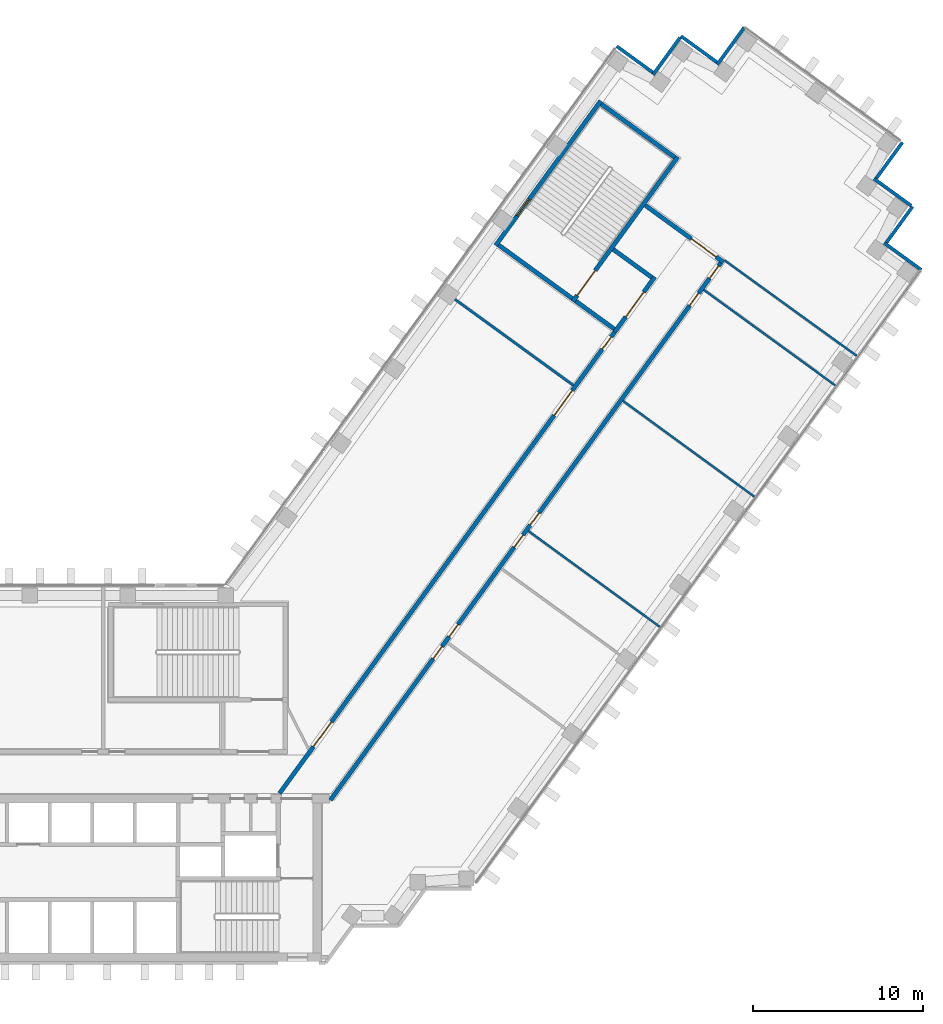
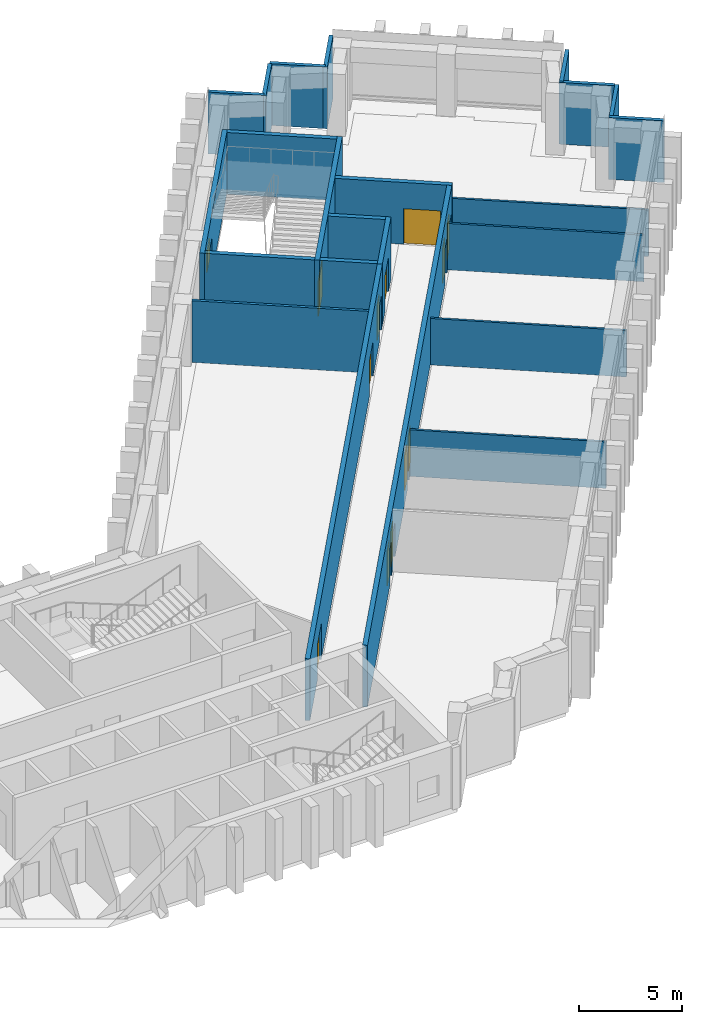
# One storey, part 9 of 13: 23 walls, 12 doors, 1 window, 13 openings.
"""IFC4 building model written with IfcOpenShell, lengths in metres."""

from ifc_helpers import new_model, si_unit, direction, frame, frame_2d, origin, place, context, subcontext, project, spatial, rectangle, extrude, material, layer, layer_set, type_object, element, fill, save


model = new_model("IFC4")

# Units and contexts
model_context = context("Model", 3, precision=1e-05, world=origin(), true_north=direction((0.0, 1.0)))
body_context = subcontext(model_context, "Body", "Model", "MODEL_VIEW")
ifc_project = project(units=[si_unit("LENGTHUNIT", "METRE"), si_unit("AREAUNIT", "SQUARE_METRE"), si_unit("VOLUMEUNIT", "CUBIC_METRE"), si_unit("PLANEANGLEUNIT", "RADIAN"), si_unit("MASSUNIT", "GRAM", prefix="KILO")], contexts=[model_context])

# Site, building, storey
site_placement = place(None, origin())
site = spatial("IfcSite", under=ifc_project, at=site_placement, CompositionType="ELEMENT")
building_placement = place(site_placement, origin())
building = spatial("IfcBuilding", under=site, at=building_placement, Name="Quipu Civic Tower", CompositionType="ELEMENT")
storey_placement = place(building_placement, frame((0.0, 0.0, 67.0)))
storey = spatial("IfcBuildingStorey", under=building, at=storey_placement, Name="L15", CompositionType="ELEMENT", Elevation=67.0)

# Wall
ifc_material_1 = material(Name="Double gypsum plasterboard with mineral wool")
ifc_layer_1 = layer(ifc_material_1, 0.14990234375)
ifc_layer_set_1 = layer_set([ifc_layer_1], Name="Double gypsum plasterboard with mineral wool")
wall_type_1 = type_object("IfcWallType", Name="Acoustic partition 150 plasterboard", PredefinedType="PARTITIONING", material=ifc_layer_set_1)
wall_1_placement = place(storey_placement, frame((34.80615234375, 22.8447265625, 0.0), z_axis=(0.0, 0.0, 1.0), x_axis=(-0.809030728677, 0.587766348183, 0.0)))
element("IfcWall", 1, at=wall_1_placement, inside=storey, type_object=wall_type_1, Name="Partition P10", PredefinedType="PARTITIONING", context=body_context, shape_type="SweptSolid", body=[
    extrude(rectangle(XDim=8.596435546875, YDim=0.14990234375, at=frame_2d((4.29833984375, 0.0))), origin(), (0.0, 0.0, 1.0), 3.64990234375),
])

# Wall, opening, door
ifc_material_2 = material(Name="Concrete C70/85", Category="concrete")
ifc_layer_2 = layer(ifc_material_2, 0.25)
ifc_layer_set_2 = layer_set([ifc_layer_2], Name="Concrete C70/85")
wall_type_2 = type_object("IfcWallType", Name="Core wall 250", PredefinedType="SHEAR", material=ifc_layer_set_2)
wall_2_placement = place(storey_placement, frame((37.237548828125, 25.979736328125, 0.0), z_axis=(0.0, 0.0, 1.0), x_axis=(0.587772420479, 0.809026317077, 0.0)))
wall_2 = element("IfcWall", 2, at=wall_2_placement, inside=storey, type_object=wall_type_2, Name="Core wall", PredefinedType="SHEAR", context=body_context, shape_type="SweptSolid", body=[
    extrude(rectangle(XDim=4.0, YDim=0.25, at=frame_2d((2.0, 0.0))), origin(), (0.0, 0.0, 1.0), 3.64990234375),
])
opening_1_placement = place(wall_2_placement, frame((1.10009765625, 0.0, 0.0)))
opening_1 = element("IfcOpeningElement", 3, at=opening_1_placement, cuts=wall_2, Name="Opening CD-21", PredefinedType="OPENING", context=body_context, shape_type="SweptSolid", body=[
    extrude(rectangle(XDim=1.800048828125, YDim=2.10009765625, at=frame_2d((0.89990234375, 1.050048828125))), frame((0.0, 0.135009765625, 0.0), z_axis=(0.0, -1.0, 0.0), x_axis=(1.0, 0.0, 0.0)), (0.0, 0.0, 1.0), 0.27001953125),
])
ifc_material_3 = material(Name="Fire rated steel door", Category="steel")
door_type_1 = type_object("IfcDoorType", Name="Fire door FD90 double 1800 x 2100", OperationType="NOTDEFINED", PredefinedType="DOOR", material=ifc_material_3)
door_1_placement = place(opening_1_placement, origin())
door_1 = element("IfcDoor", 4, at=door_1_placement, inside=storey, type_object=door_type_1, Name="Lobby door", OperationType="DOUBLE_DOOR_SINGLE_SWING", OverallHeight=2.10009765625, OverallWidth=1.800048828125, PredefinedType="DOOR", context=body_context, shape_type="SweptSolid", body=[
    extrude(rectangle(XDim=1.800048828125, YDim=2.10009765625, at=frame_2d((0.89990234375, 1.050048828125))), frame((0.0, 0.02490234375, 0.0), z_axis=(0.0, -1.0, 0.0), x_axis=(1.0, 0.0, 0.0)), (0.0, 0.0, 1.0), 0.050048828125),
])
fill(opening_1, door_1)

# Walls
for number, where, z_axis, x_axis, name in (
    (5, (37.2099609375, 26.154296875, 0.0), (0.0, 0.0, 1.0), (-0.809041377956, 0.587751689708, 0.0), "Core wall"),
    (6, (39.4140625, 29.18798828125, 0.0), (0.0, 0.0, 1.0), (-0.808969789945, 0.58785021813, 0.0), "Core wall"),
):
    element("IfcWall", number, at=place(storey_placement, frame(where, z_axis=z_axis, x_axis=x_axis)), inside=storey, type_object=wall_type_2, Name=name, PredefinedType="SHEAR", context=body_context, shape_type="SweptSolid", body=[
        extrude(rectangle(XDim=2.800048828125, YDim=0.25, at=frame_2d((1.39990234375, 0.0))), origin(), (0.0, 0.0, 1.0), 3.64990234375),
    ])

# Wall, opening, door
wall_3_placement = place(storey_placement, frame((34.77001953125, 27.7724609375, 0.0), z_axis=(0.0, 0.0, 1.0), x_axis=(0.587795589702, 0.809009483706, 0.0)))
wall_3 = element("IfcWall", 7, at=wall_3_placement, inside=storey, type_object=wall_type_2, Name="Core wall", PredefinedType="SHEAR", context=body_context, shape_type="SweptSolid", body=[
    extrude(rectangle(XDim=10.5, YDim=0.25, at=frame_2d((5.25, 0.0))), origin(), (0.0, 0.0, 1.0), 3.64990234375),
])
opening_2_placement = place(wall_3_placement, frame((0.449951171875, 0.0, 0.0)))
opening_2 = element("IfcOpeningElement", 8, at=opening_2_placement, cuts=wall_3, Name="Opening CD-22", PredefinedType="OPENING", context=body_context, shape_type="SweptSolid", body=[
    extrude(rectangle(XDim=1.800048828125, YDim=2.10009765625, at=frame_2d((0.89990234375, 1.050048828125))), frame((0.0, 0.135009765625, 0.0), z_axis=(0.0, -1.0, 0.0), x_axis=(1.0, 0.0, 0.0)), (0.0, 0.0, 1.0), 0.27001953125),
])
door_2_placement = place(opening_2_placement, origin())
door_2 = element("IfcDoor", 9, at=door_2_placement, inside=storey, type_object=door_type_1, Name="Door", OperationType="DOUBLE_DOOR_SINGLE_SWING", OverallHeight=2.10009765625, OverallWidth=1.800048828125, PredefinedType="DOOR", context=body_context, shape_type="SweptSolid", body=[
    extrude(rectangle(XDim=1.800048828125, YDim=2.10009765625, at=frame_2d((0.89990234375, 1.050048828125))), frame((0.0, 0.02490234375, 0.0), z_axis=(0.0, -1.0, 0.0), x_axis=(1.0, 0.0, 0.0)), (0.0, 0.0, 1.0), 0.050048828125),
])
fill(opening_2, door_2)

# Walls
wall_4_placement = place(storey_placement, frame((34.742431640625, 27.947021484375, 0.0), z_axis=(0.0, 0.0, 1.0), x_axis=(-0.8089984606, 0.587810760999, 0.0)))
element("IfcWall", 10, at=wall_4_placement, inside=storey, type_object=wall_type_2, Name="Core wall", PredefinedType="SHEAR", context=body_context, shape_type="SweptSolid", body=[
    extrude(rectangle(XDim=5.35009765625, YDim=0.25, at=frame_2d((2.675048828125, 0.0))), origin(), (0.0, 0.0, 1.0), 3.64990234375),
])
wall_5_placement = place(storey_placement, frame((40.76708984375, 36.239501953125, 0.0), z_axis=(0.0, 0.0, 1.0), x_axis=(-0.809020161303, 0.587780893365, 0.0)))
element("IfcWall", 11, at=wall_5_placement, inside=storey, type_object=wall_type_2, Name="Core wall", PredefinedType="SHEAR", context=body_context, shape_type="SweptSolid", body=[
    extrude(rectangle(XDim=5.349853515625, YDim=0.25, at=frame_2d((2.6748046875, 0.0))), origin(), (0.0, 0.0, 1.0), 3.64990234375),
])

# Wall, opening, window
wall_6_placement = place(storey_placement, frame((30.239501953125, 31.06396484375, 0.0), z_axis=(0.0, 0.0, 1.0), x_axis=(0.587795589702, 0.809009483706, 0.0)))
wall_6 = element("IfcWall", 12, at=wall_6_placement, inside=storey, type_object=wall_type_2, Name="Core wall", PredefinedType="SHEAR", context=body_context, shape_type="SweptSolid", body=[
    extrude(rectangle(XDim=10.5, YDim=0.25, at=frame_2d((5.25, 0.0))), origin(), (0.0, 0.0, 1.0), 3.64990234375),
])
opening_3_placement = place(wall_6_placement, frame((2.14990234375, 0.0, 1.0)))
opening_3 = element("IfcOpeningElement", 13, at=opening_3_placement, cuts=wall_6, Name="Opening SV-7", PredefinedType="OPENING", context=body_context, shape_type="SweptSolid", body=[
    extrude(rectangle(XDim=1.199951171875, YDim=1.199951171875, at=frame_2d((0.60009765625, 0.60009765625))), frame((0.0, 0.135009765625, 0.0), z_axis=(0.0, -1.0, 0.0), x_axis=(1.0, 0.0, 0.0)), (0.0, 0.0, 1.0), 0.27001953125),
])
ifc_material_4 = material(Name="Aluminium louvre", Category="aluminium")
window_type = type_object("IfcWindowType", Name="Stair ventilation louvre 1200 x 1200", PartitioningType="SINGLE_PANEL", PredefinedType="WINDOW", material=ifc_material_4)
window_placement = place(opening_3_placement, origin())
window = element("IfcWindow", 14, at=window_placement, inside=storey, type_object=window_type, Name="Stair ventilation opening", OverallHeight=1.199951171875, OverallWidth=1.199951171875, PartitioningType="SINGLE_PANEL", PredefinedType="WINDOW", context=body_context, shape_type="SweptSolid", body=[
    extrude(rectangle(XDim=1.199951171875, YDim=1.199951171875, at=frame_2d((0.60009765625, 0.60009765625))), frame((0.0, 0.030029296875, 0.0), z_axis=(0.0, -1.0, 0.0), x_axis=(1.0, 0.0, 0.0)), (0.0, 0.0, 1.0), 0.06005859375),
])
fill(opening_3, window)

# Wall, openings, doors
ifc_material_5 = material(Name="Concrete C50/60", Category="concrete")
ifc_layer_3 = layer(ifc_material_5, 0.25)
ifc_layer_set_3 = layer_set([ifc_layer_3], Name="Concrete C50/60")
wall_type_3 = type_object("IfcWallType", Name="Corridor wall 250 concrete", PredefinedType="SOLIDWALL", material=ifc_layer_set_3)
wall_7_placement = place(storey_placement, frame((17.544921875, -1.124755859375, 0.0), z_axis=(0.0, 0.0, 1.0), x_axis=(0.587786323093, 0.809016216391, 0.0)))
wall_7 = element("IfcWall", 15, at=wall_7_placement, inside=storey, type_object=wall_type_3, Name="Corridor wall C06", PredefinedType="SOLIDWALL", context=body_context, shape_type="SweptSolid", body=[
    extrude(rectangle(XDim=33.4931640625, YDim=0.25, at=frame_2d((16.74658203125, 0.0))), origin(), (0.0, 0.0, 1.0), 3.64990234375),
])
opening_4_placement = place(wall_7_placement, frame((27.4580078125, 0.0, 0.0)))
opening_4 = element("IfcOpeningElement", 16, at=opening_4_placement, cuts=wall_7, Name="Opening D001", PredefinedType="OPENING", context=body_context, shape_type="SweptSolid", body=[
    extrude(rectangle(XDim=1.800048828125, YDim=2.10009765625, at=frame_2d((0.89990234375, 1.050048828125))), frame((0.0, 0.135009765625, 0.0), z_axis=(0.0, -1.0, 0.0), x_axis=(1.0, 0.0, 0.0)), (0.0, 0.0, 1.0), 0.27001953125),
])
opening_5_placement = place(wall_7_placement, frame((3.39208984375, 0.0, 0.0)))
opening_5 = element("IfcOpeningElement", 17, at=opening_5_placement, cuts=wall_7, Name="Opening D002", PredefinedType="OPENING", context=body_context, shape_type="SweptSolid", body=[
    extrude(rectangle(XDim=1.800048828125, YDim=2.10009765625, at=frame_2d((0.89990234375, 1.050048828125))), frame((0.0, 0.135009765625, 0.0), z_axis=(0.0, -1.0, 0.0), x_axis=(1.0, 0.0, 0.0)), (0.0, 0.0, 1.0), 0.27001953125),
])
opening_6_placement = place(wall_7_placement, frame((32.2529296875, 0.0, 0.0)))
opening_6 = element("IfcOpeningElement", 18, at=opening_6_placement, cuts=wall_7, Name="Opening D003", PredefinedType="OPENING", context=body_context, shape_type="SweptSolid", body=[
    extrude(rectangle(XDim=0.89990234375, YDim=2.10009765625, at=frame_2d((0.449951171875, 1.050048828125))), frame((0.0, 0.135009765625, 0.0), z_axis=(0.0, -1.0, 0.0), x_axis=(1.0, 0.0, 0.0)), (0.0, 0.0, 1.0), 0.27001953125),
])
ifc_material_6 = material(Name="Fire rated timber door set with metal frame", Category="wood")
door_type_2 = type_object("IfcDoorType", Name="Double door 1800 x 2100 FD60", OperationType="DOUBLE_DOOR_SINGLE_SWING", PredefinedType="DOOR", material=ifc_material_6)
door_3_placement = place(opening_4_placement, origin())
door_3 = element("IfcDoor", 19, at=door_3_placement, inside=storey, type_object=door_type_2, Name="Door D001", OperationType="DOUBLE_DOOR_SINGLE_SWING", OverallHeight=2.10009765625, OverallWidth=1.800048828125, PredefinedType="DOOR", context=body_context, shape_type="SweptSolid", body=[
    extrude(rectangle(XDim=1.800048828125, YDim=2.10009765625, at=frame_2d((0.89990234375, 1.050048828125))), frame((0.0, 0.02490234375, 0.0), z_axis=(0.0, -1.0, 0.0), x_axis=(1.0, 0.0, 0.0)), (0.0, 0.0, 1.0), 0.050048828125),
])
fill(opening_4, door_3)
door_4_placement = place(opening_5_placement, origin())
door_4 = element("IfcDoor", 20, at=door_4_placement, inside=storey, type_object=door_type_2, Name="Door D002", OperationType="DOUBLE_DOOR_SINGLE_SWING", OverallHeight=2.10009765625, OverallWidth=1.800048828125, PredefinedType="DOOR", context=body_context, shape_type="SweptSolid", body=[
    extrude(rectangle(XDim=1.800048828125, YDim=2.10009765625, at=frame_2d((0.89990234375, 1.050048828125))), frame((0.0, 0.02490234375, 0.0), z_axis=(0.0, -1.0, 0.0), x_axis=(1.0, 0.0, 0.0)), (0.0, 0.0, 1.0), 0.050048828125),
])
fill(opening_5, door_4)
ifc_material_7 = material(Name="Fire rated timber door set with metal frame", Category="wood")
door_type_3 = type_object("IfcDoorType", Name="Single door 900 x 2100 FD60", OperationType="NOTDEFINED", PredefinedType="DOOR", material=ifc_material_7)
door_5_placement = place(opening_6_placement, origin())
door_5 = element("IfcDoor", 21, at=door_5_placement, inside=storey, type_object=door_type_3, Name="Door D003", OperationType="SINGLE_SWING_RIGHT", OverallHeight=2.10009765625, OverallWidth=0.89990234375, PredefinedType="DOOR", context=body_context, shape_type="SweptSolid", body=[
    extrude(rectangle(XDim=0.89990234375, YDim=2.10009765625, at=frame_2d((0.449951171875, 1.050048828125))), frame((0.0, 0.02490234375, 0.0), z_axis=(0.0, -1.0, 0.0), x_axis=(1.0, 0.0, 0.0)), (0.0, 0.0, 1.0), 0.050048828125),
])
fill(opening_6, door_5)

# Wall, opening, door
wall_8_placement = place(storey_placement, frame((39.03369140625, 33.419921875, 0.0), z_axis=(0.0, 0.0, 1.0), x_axis=(0.809023325802, -0.587776537732, 0.0)))
wall_8 = element("IfcWall", 22, at=wall_8_placement, inside=storey, type_object=wall_type_3, Name="Corridor wall C07", PredefinedType="SOLIDWALL", context=body_context, shape_type="SweptSolid", body=[
    extrude(rectangle(XDim=5.695068359375, YDim=0.25, at=frame_2d((2.84765625, 0.0))), origin(), (0.0, 0.0, 1.0), 3.64990234375),
])
opening_7_placement = place(wall_8_placement, frame((3.34521484375, 0.0, 0.0)))
opening_7 = element("IfcOpeningElement", 23, at=opening_7_placement, cuts=wall_8, Name="Opening D010", PredefinedType="OPENING", context=body_context, shape_type="SweptSolid", body=[
    extrude(rectangle(XDim=1.800048828125, YDim=2.10009765625, at=frame_2d((0.89990234375, 1.050048828125))), frame((0.0, 0.135009765625, 0.0), z_axis=(0.0, -1.0, 0.0), x_axis=(1.0, 0.0, 0.0)), (0.0, 0.0, 1.0), 0.27001953125),
])
door_6_placement = place(opening_7_placement, origin())
door_6 = element("IfcDoor", 24, at=door_6_placement, inside=storey, type_object=door_type_2, Name="Door D010", OperationType="DOUBLE_DOOR_SINGLE_SWING", OverallHeight=2.10009765625, OverallWidth=1.800048828125, PredefinedType="DOOR", context=body_context, shape_type="SweptSolid", body=[
    extrude(rectangle(XDim=1.800048828125, YDim=2.10009765625, at=frame_2d((0.89990234375, 1.050048828125))), frame((0.0, 0.02490234375, 0.0), z_axis=(0.0, -1.0, 0.0), x_axis=(1.0, 0.0, 0.0)), (0.0, 0.0, 1.0), 0.050048828125),
])
fill(opening_7, door_6)

# Wall, openings, doors
wall_9_placement = place(storey_placement, frame((43.466552734375, 30.044677734375, 0.0), z_axis=(0.0, 0.0, 1.0), x_axis=(-0.587784726077, -0.809017376692, 0.0)))
wall_9 = element("IfcWall", 25, at=wall_9_placement, inside=storey, type_object=wall_type_3, Name="Corridor wall C08", PredefinedType="SOLIDWALL", context=body_context, shape_type="SweptSolid", body=[
    extrude(rectangle(XDim=39.020263671875, YDim=0.25, at=frame_2d((19.51025390625, 0.0))), origin(), (0.0, 0.0, 1.0), 3.64990234375),
])
opening_8_placement = place(wall_9_placement, frame((26.25439453125, 0.0, 0.0)))
opening_8 = element("IfcOpeningElement", 26, at=opening_8_placement, cuts=wall_9, Name="Opening D005", PredefinedType="OPENING", context=body_context, shape_type="SweptSolid", body=[
    extrude(rectangle(XDim=0.89990234375, YDim=2.10009765625, at=frame_2d((0.449951171875, 1.050048828125))), frame((0.0, 0.135009765625, 0.0), z_axis=(0.0, -1.0, 0.0), x_axis=(1.0, 0.0, 0.0)), (0.0, 0.0, 1.0), 0.27001953125),
])
opening_9_placement = place(wall_9_placement, frame((2.205322265625, 0.0, 0.0)))
opening_9 = element("IfcOpeningElement", 27, at=opening_9_placement, cuts=wall_9, Name="Opening D008", PredefinedType="OPENING", context=body_context, shape_type="SweptSolid", body=[
    extrude(rectangle(XDim=0.89990234375, YDim=2.10009765625, at=frame_2d((0.449951171875, 1.050048828125))), frame((0.0, 0.135009765625, 0.0), z_axis=(0.0, -1.0, 0.0), x_axis=(1.0, 0.0, 0.0)), (0.0, 0.0, 1.0), 0.27001953125),
])
opening_10_placement = place(wall_9_placement, frame((27.854736328125, 0.0, 0.0)))
opening_10 = element("IfcOpeningElement", 28, at=opening_10_placement, cuts=wall_9, Name="Opening D004", PredefinedType="OPENING", context=body_context, shape_type="SweptSolid", body=[
    extrude(rectangle(XDim=0.89990234375, YDim=2.10009765625, at=frame_2d((0.449951171875, 1.050048828125))), frame((0.0, 0.135009765625, 0.0), z_axis=(0.0, -1.0, 0.0), x_axis=(1.0, 0.0, 0.0)), (0.0, 0.0, 1.0), 0.27001953125),
])
opening_11_placement = place(wall_9_placement, frame((18.154541015625, 0.0, 0.0)))
opening_11 = element("IfcOpeningElement", 29, at=opening_11_placement, cuts=wall_9, Name="Opening D007", PredefinedType="OPENING", context=body_context, shape_type="SweptSolid", body=[
    extrude(rectangle(XDim=0.89990234375, YDim=2.10009765625, at=frame_2d((0.449951171875, 1.050048828125))), frame((0.0, 0.135009765625, 0.0), z_axis=(0.0, -1.0, 0.0), x_axis=(1.0, 0.0, 0.0)), (0.0, 0.0, 1.0), 0.27001953125),
])
opening_12_placement = place(wall_9_placement, frame((19.7548828125, 0.0, 0.0)))
opening_12 = element("IfcOpeningElement", 30, at=opening_12_placement, cuts=wall_9, Name="Opening D006", PredefinedType="OPENING", context=body_context, shape_type="SweptSolid", body=[
    extrude(rectangle(XDim=0.89990234375, YDim=2.10009765625, at=frame_2d((0.449951171875, 1.050048828125))), frame((0.0, 0.135009765625, 0.0), z_axis=(0.0, -1.0, 0.0), x_axis=(1.0, 0.0, 0.0)), (0.0, 0.0, 1.0), 0.27001953125),
])
opening_13_placement = place(wall_9_placement, frame((0.224365234375, 0.0, 0.0)))
opening_13 = element("IfcOpeningElement", 31, at=opening_13_placement, cuts=wall_9, Name="Opening D009", PredefinedType="OPENING", context=body_context, shape_type="SweptSolid", body=[
    extrude(rectangle(XDim=0.89990234375, YDim=2.10009765625, at=frame_2d((0.449951171875, 1.050048828125))), frame((0.0, 0.135009765625, 0.0), z_axis=(0.0, -1.0, 0.0), x_axis=(1.0, 0.0, 0.0)), (0.0, 0.0, 1.0), 0.27001953125),
])
door_7_placement = place(opening_8_placement, origin())
door_7 = element("IfcDoor", 32, at=door_7_placement, inside=storey, type_object=door_type_3, Name="Door D005", OperationType="SINGLE_SWING_RIGHT", OverallHeight=2.10009765625, OverallWidth=0.89990234375, PredefinedType="DOOR", context=body_context, shape_type="SweptSolid", body=[
    extrude(rectangle(XDim=0.89990234375, YDim=2.10009765625, at=frame_2d((0.449951171875, 1.050048828125))), frame((0.0, 0.02490234375, 0.0), z_axis=(0.0, -1.0, 0.0), x_axis=(1.0, 0.0, 0.0)), (0.0, 0.0, 1.0), 0.050048828125),
])
fill(opening_8, door_7)
door_8_placement = place(opening_9_placement, origin())
door_8 = element("IfcDoor", 33, at=door_8_placement, inside=storey, type_object=door_type_3, Name="Door D008", OperationType="SINGLE_SWING_LEFT", OverallHeight=2.10009765625, OverallWidth=0.89990234375, PredefinedType="DOOR", context=body_context, shape_type="SweptSolid", body=[
    extrude(rectangle(XDim=0.89990234375, YDim=2.10009765625, at=frame_2d((0.449951171875, 1.050048828125))), frame((0.0, 0.02490234375, 0.0), z_axis=(0.0, -1.0, 0.0), x_axis=(1.0, 0.0, 0.0)), (0.0, 0.0, 1.0), 0.050048828125),
])
fill(opening_9, door_8)
door_9_placement = place(opening_10_placement, origin())
door_9 = element("IfcDoor", 34, at=door_9_placement, inside=storey, type_object=door_type_3, Name="Door D004", OperationType="SINGLE_SWING_LEFT", OverallHeight=2.10009765625, OverallWidth=0.89990234375, PredefinedType="DOOR", context=body_context, shape_type="SweptSolid", body=[
    extrude(rectangle(XDim=0.89990234375, YDim=2.10009765625, at=frame_2d((0.449951171875, 1.050048828125))), frame((0.0, 0.02490234375, 0.0), z_axis=(0.0, -1.0, 0.0), x_axis=(1.0, 0.0, 0.0)), (0.0, 0.0, 1.0), 0.050048828125),
])
fill(opening_10, door_9)
door_10_placement = place(opening_11_placement, origin())
door_10 = element("IfcDoor", 35, at=door_10_placement, inside=storey, type_object=door_type_3, Name="Door D007", OperationType="SINGLE_SWING_RIGHT", OverallHeight=2.10009765625, OverallWidth=0.89990234375, PredefinedType="DOOR", context=body_context, shape_type="SweptSolid", body=[
    extrude(rectangle(XDim=0.89990234375, YDim=2.10009765625, at=frame_2d((0.449951171875, 1.050048828125))), frame((0.0, 0.02490234375, 0.0), z_axis=(0.0, -1.0, 0.0), x_axis=(1.0, 0.0, 0.0)), (0.0, 0.0, 1.0), 0.050048828125),
])
fill(opening_11, door_10)
door_11_placement = place(opening_12_placement, origin())
door_11 = element("IfcDoor", 36, at=door_11_placement, inside=storey, type_object=door_type_3, Name="Door D006", OperationType="SINGLE_SWING_LEFT", OverallHeight=2.10009765625, OverallWidth=0.89990234375, PredefinedType="DOOR", context=body_context, shape_type="SweptSolid", body=[
    extrude(rectangle(XDim=0.89990234375, YDim=2.10009765625, at=frame_2d((0.449951171875, 1.050048828125))), frame((0.0, 0.02490234375, 0.0), z_axis=(0.0, -1.0, 0.0), x_axis=(1.0, 0.0, 0.0)), (0.0, 0.0, 1.0), 0.050048828125),
])
fill(opening_12, door_11)
door_12_placement = place(opening_13_placement, origin())
door_12 = element("IfcDoor", 37, at=door_12_placement, inside=storey, type_object=door_type_3, Name="Door D009", OperationType="SINGLE_SWING_LEFT", OverallHeight=2.10009765625, OverallWidth=0.89990234375, PredefinedType="DOOR", context=body_context, shape_type="SweptSolid", body=[
    extrude(rectangle(XDim=0.89990234375, YDim=2.10009765625, at=frame_2d((0.449951171875, 1.050048828125))), frame((0.0, 0.02490234375, 0.0), z_axis=(0.0, -1.0, 0.0), x_axis=(1.0, 0.0, 0.0)), (0.0, 0.0, 1.0), 0.050048828125),
])
fill(opening_13, door_12)

# Walls
ifc_material_8 = material(Name="Gypsum plasterboard on light gauge framing")
ifc_layer_4 = layer(ifc_material_8, 0.1201171875)
ifc_layer_set_4 = layer_set([ifc_layer_4], Name="Gypsum plasterboard on light gauge framing")
wall_type_4 = type_object("IfcWallType", Name="Partition 120 plasterboard", PredefinedType="PARTITIONING", material=ifc_layer_set_4)
wall_10_placement = place(storey_placement, frame((37.727783203125, 21.93408203125, 0.0), z_axis=(0.0, 0.0, 1.0), x_axis=(0.807645841498, -0.589667868135, 0.0)))
element("IfcWall", 38, at=wall_10_placement, inside=storey, type_object=wall_type_4, Name="Partition P03", PredefinedType="PARTITIONING", context=body_context, shape_type="SweptSolid", body=[
    extrude(rectangle(XDim=9.550537109375, YDim=0.1201171875, at=frame_2d((4.775390625, 0.0))), origin(), (0.0, 0.0, 1.0), 2.75),
])
wall_11_placement = place(storey_placement, frame((50.19189453125, 22.84130859375, 0.0), z_axis=(0.0, 0.0, 1.0), x_axis=(-0.809033337127, 0.587762757767, 0.0)))
element("IfcWall", 39, at=wall_11_placement, inside=storey, type_object=wall_type_4, Name="Partition P04", PredefinedType="PARTITIONING", context=body_context, shape_type="SweptSolid", body=[
    extrude(rectangle(XDim=9.55078125, YDim=0.1201171875, at=frame_2d((4.775390625, 0.0))), origin(), (0.0, 0.0, 1.0), 2.75),
])
wall_12_placement = place(storey_placement, frame((43.698486328125, 30.185302734375, 0.0), z_axis=(0.0, 0.0, 1.0), x_axis=(0.810419489461, -0.58585002441, 0.0)))
element("IfcWall", 40, at=wall_12_placement, inside=storey, type_object=wall_type_4, Name="Partition P14", PredefinedType="PARTITIONING", context=body_context, shape_type="SweptSolid", body=[
    extrude(rectangle(XDim=9.570068359375, YDim=0.1201171875, at=frame_2d((4.78515625, 0.0))), origin(), (0.0, 0.0, 1.0), 2.75),
])
wall_13_placement = place(storey_placement, frame((32.173828125, 14.2880859375, 0.0), z_axis=(0.0, 0.0, 1.0), x_axis=(0.807664588563, -0.589642190131, 0.0)))
element("IfcWall", 41, at=wall_13_placement, inside=storey, type_object=wall_type_4, Name="Partition P15", PredefinedType="PARTITIONING", context=body_context, shape_type="SweptSolid", body=[
    extrude(rectangle(XDim=9.549560546875, YDim=0.1201171875, at=frame_2d((4.77490234375, 0.0))), origin(), (0.0, 0.0, 1.0), 2.75),
])
ifc_material_9 = material(Name="Precast concrete C40/50", Category="concrete")
wall_type_5 = type_object("IfcWallType", Name="Precast cladding wall", PredefinedType="SOLIDWALL", material=ifc_material_9)
wall_14_placement = place(storey_placement, frame((55.2470703125, 29.62890625, 0.0), z_axis=(0.0, 0.0, 1.0), x_axis=(-0.809033161865, 0.587762999008, 0.0)))
element("IfcWall", 42, at=wall_14_placement, inside=storey, type_object=wall_type_5, Name="Precast cladding wall L15 21", PredefinedType="SOLIDWALL", context=body_context, shape_type="SweptSolid", body=[
    extrude(rectangle(XDim=2.699951171875, YDim=0.199951171875, at=frame_2d((1.35009765625, 0.0))), origin(), (0.0, 0.0, 1.0), 3.64990234375),
])
wall_15_placement = place(storey_placement, frame((53.150634765625, 31.166748046875, 0.0), z_axis=(0.0, 0.0, 1.0), x_axis=(0.587779184282, 0.809021403008, 0.0)))
element("IfcWall", 43, at=wall_15_placement, inside=storey, type_object=wall_type_5, Name="Precast cladding wall L15 22", PredefinedType="SOLIDWALL", context=body_context, shape_type="SweptSolid", body=[
    extrude(rectangle(XDim=2.7001953125, YDim=0.199951171875, at=frame_2d((1.35009765625, 0.0))), origin(), (0.0, 0.0, 1.0), 3.64990234375),
])
for number, where, z_axis, x_axis, name in (
    (44, (54.649658203125, 33.400390625, 0.0), (0.0, 0.0, 1.0), (-0.809033161865, 0.587762999008, 0.0), "Precast cladding wall L15 23"),
    (45, (52.55322265625, 34.938232421875, 0.0), (0.0, 0.0, 1.0), (0.587822180636, 0.808990163075, 0.0), "Precast cladding wall L15 24"),
    (46, (44.846435546875, 43.875, 0.0), (0.0, 0.0, 1.0), (-0.587822180636, -0.808990163075, 0.0), "Precast cladding wall L15 26"),
    (47, (43.308349609375, 41.77880859375, 0.0), (0.0, 0.0, 1.0), (-0.809033161865, 0.587762999008, 0.0), "Precast cladding wall L15 27"),
):
    element("IfcWall", number, at=place(storey_placement, frame(where, z_axis=z_axis, x_axis=x_axis)), inside=storey, type_object=wall_type_5, Name=name, PredefinedType="SOLIDWALL", context=body_context, shape_type="SweptSolid", body=[
        extrude(rectangle(XDim=2.699951171875, YDim=0.199951171875, at=frame_2d((1.35009765625, 0.0))), origin(), (0.0, 0.0, 1.0), 3.64990234375),
    ])
wall_16_placement = place(storey_placement, frame((41.074951171875, 43.277587890625, 0.0), z_axis=(0.0, 0.0, 1.0), x_axis=(-0.587806000234, -0.809001919707, 0.0)))
element("IfcWall", 48, at=wall_16_placement, inside=storey, type_object=wall_type_5, Name="Precast cladding wall L15 28", PredefinedType="SOLIDWALL", context=body_context, shape_type="SweptSolid", body=[
    extrude(rectangle(XDim=2.69970703125, YDim=0.199951171875, at=frame_2d((1.349853515625, 0.0))), origin(), (0.0, 0.0, 1.0), 3.64990234375),
])
wall_17_placement = place(storey_placement, frame((39.537109375, 41.181396484375, 0.0), z_axis=(0.0, 0.0, 1.0), x_axis=(-0.809033161865, 0.587762999008, 0.0)))
element("IfcWall", 49, at=wall_17_placement, inside=storey, type_object=wall_type_5, Name="Precast cladding wall L15 29", PredefinedType="SOLIDWALL", context=body_context, shape_type="SweptSolid", body=[
    extrude(rectangle(XDim=2.699951171875, YDim=0.199951171875, at=frame_2d((1.35009765625, 0.0))), origin(), (0.0, 0.0, 1.0), 3.64990234375),
])

save(model, "model.ifc")
